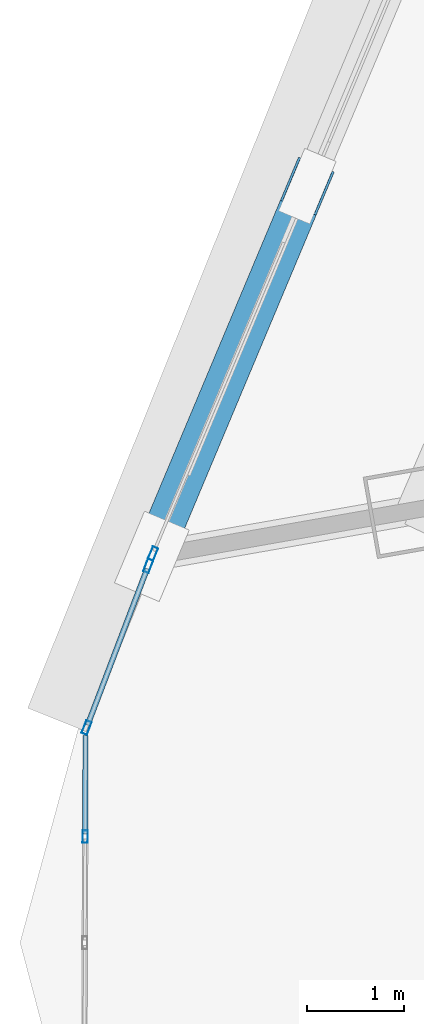
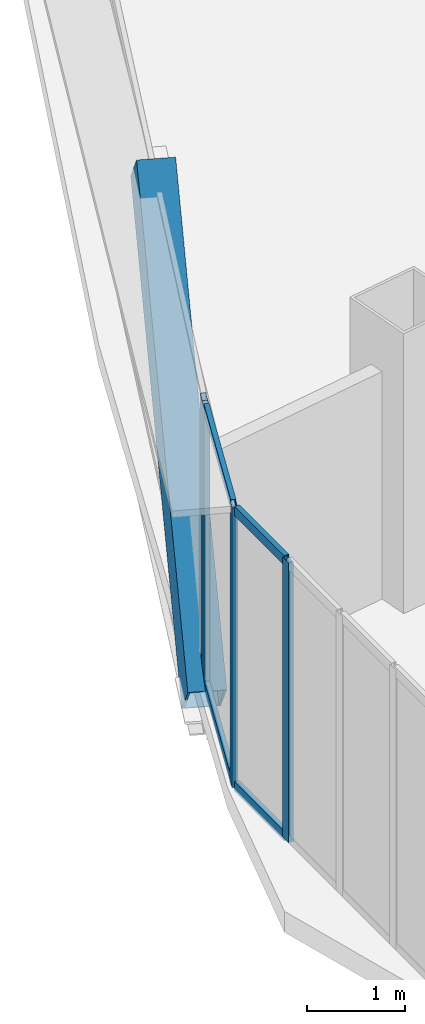
# One storey, part 4 of 37: 9 members, 3 elements without a shape of their own.
"""IFC4 building model written with IfcOpenShell, lengths in metres."""

from ifc_helpers import new_model, si_unit, direction, frame, origin, origin_2d, place, context, subcontext, project, spatial, hollow_rectangle, extrude, source, transform, mapped, material, layer, layer_set, material_profile, profile_set, type_object, element, aggregate, save


model = new_model("IFC4")

# Units and contexts
model_context = context("Model", 3, precision=1e-05, world=origin(), true_north=direction((0.0, 1.0)))
body_context = subcontext(model_context, "Body", "Model", "MODEL_VIEW")
ifc_project = project(units=[si_unit("LENGTHUNIT", "METRE"), si_unit("AREAUNIT", "SQUARE_METRE"), si_unit("VOLUMEUNIT", "CUBIC_METRE"), si_unit("PLANEANGLEUNIT", "RADIAN"), si_unit("MASSUNIT", "GRAM", prefix="KILO"), si_unit("THERMODYNAMICTEMPERATUREUNIT", "KELVIN"), si_unit("POWERUNIT", "WATT")], contexts=[model_context])

# Site, building, storey
site_placement = place(None, origin())
site = spatial("IfcSite", under=ifc_project, at=site_placement, CompositionType="ELEMENT")
building_placement = place(site_placement, origin())
building = spatial("IfcBuilding", under=site, at=building_placement, Name="Yunzhuo Pagoda Commons", CompositionType="ELEMENT")
storey_placement = place(building_placement, frame((0.0, 0.0, 240.800048828125)))
storey = spatial("IfcBuildingStorey", under=building, at=storey_placement, Name="L60", CompositionType="ELEMENT", Elevation=240.800048828125)

# Member
ifc_material_1 = material(Name="Structural steel Q355B", Category="steel")
ifc_material_profile_1 = material_profile(ifc_material_1, hollow_rectangle(XDim=0.39990234375, YDim=0.719970703125, WallThickness=0.02392578125, at=origin_2d()), Name="Structural steel Q355B")
ifc_profile_set_1 = profile_set([ifc_material_profile_1], Name="Structural steel Q355B")
member_type_1 = type_object("IfcMemberType", Name="M-DL2 Brace BOX 720x400x24", PredefinedType="BRACE", material=ifc_profile_set_1)
shared_shape_1 = source(origin(), body_context, "Body", "SweptSolid", [
    extrude(hollow_rectangle(XDim=0.39990234375, YDim=0.719970703125, WallThickness=0.02392578125, at=origin_2d()), origin(), (0.0, 0.0, 1.0), 5.571533203125),
])
member_1_placement = place(storey_placement, frame((13.3955078125, 27.598388671875, -0.260009765625), z_axis=(0.287580564873, 0.684882558124, 0.669502278028), x_axis=(-0.922015799303, 0.387152251492, 0.0)))
element("IfcMember", 1, at=member_1_placement, inside=storey, type_object=member_type_1, Name="L60 facade diamond brace F3.3R", PredefinedType="BRACE", context=body_context, shape_type="MappedRepresentation", body=[
    mapped(shared_shape_1, transform((0.0, 0.0, 0.0), scale=1.0)),
])

# Curtain wall, member
ifc_material_2 = material(Name="Anodized aluminium 6063-T6", Category="aluminium")
ifc_layer_1 = layer(ifc_material_2, 0.139892578125)
ifc_layer_set_1 = layer_set([ifc_layer_1], Name="Anodized aluminium 6063-T6")
curtain_wall_type_1 = type_object("IfcCurtainWallType", Name="CW-HI High-Zone Ribbon Curtain Wall", PredefinedType="NOTDEFINED", material=ifc_layer_set_1)
curtain_wall_1_placement = place(storey_placement, origin())
curtain_wall_1 = element("IfcCurtainWall", 2, at=curtain_wall_1_placement, inside=storey, type_object=curtain_wall_type_1, Name="L60 curtain wall CW-L60-F3B4", PredefinedType="NOTDEFINED")
ifc_material_profile_2 = material_profile(ifc_material_2, hollow_rectangle(XDim=0.06005859375, YDim=0.139892578125, WallThickness=0.00341796875, at=origin_2d()), Name="Anodized aluminium 6063-T6")
ifc_profile_set_2 = profile_set([ifc_material_profile_2], Name="Anodized aluminium 6063-T6")
member_type_2 = type_object("IfcMemberType", Name="CW-HI-M Mullion RHS 140x60x3.5", PredefinedType="MULLION", material=ifc_profile_set_2)
shared_shape_2 = source(origin(), body_context, "Body", "SweptSolid", [
    extrude(hollow_rectangle(XDim=0.06005859375, YDim=0.139892578125, WallThickness=0.00341796875, at=origin_2d()), origin(), (0.0, 0.0, 1.0), 3.47021484375),
])
member_2_placement = place(storey_placement, frame((13.4072265625, 27.6259765625, 0.0), z_axis=(0.0, 0.0, 1.0), x_axis=(0.922008372235, -0.387169938824, 0.0)))
member_2 = element("IfcMember", 3, at=member_2_placement, type_object=member_type_2, Name="CW mullion 2", PredefinedType="MULLION", context=body_context, shape_type="MappedRepresentation", body=[
    mapped(shared_shape_2, transform((0.0, 0.0, 0.0), scale=1.0)),
])
aggregate(curtain_wall_1, [member_2])

# Curtain wall, members
curtain_wall_2_placement = place(storey_placement, origin())
curtain_wall_2 = element("IfcCurtainWall", 4, at=curtain_wall_2_placement, inside=storey, type_object=curtain_wall_type_1, Name="L60 curtain wall CW-L60-F3B5", PredefinedType="NOTDEFINED")
member_3_placement = place(storey_placement, frame((13.358154296875, 27.500244140625, 0.0), z_axis=(0.0, 0.0, 1.0), x_axis=(0.934441330585, -0.356117115139, 0.0)))
member_3 = element("IfcMember", 5, at=member_3_placement, type_object=member_type_2, Name="CW mullion 1", PredefinedType="MULLION", context=body_context, shape_type="MappedRepresentation", body=[
    mapped(shared_shape_2, transform((0.0, 0.0, 0.0), scale=1.0)),
])
member_4_placement = place(storey_placement, frame((12.722900390625, 25.833251953125, 0.0), z_axis=(0.0, 0.0, 1.0), x_axis=(0.934441330585, -0.356117115139, 0.0)))
member_4 = element("IfcMember", 6, at=member_4_placement, type_object=member_type_2, Name="CW mullion 2", PredefinedType="MULLION", context=body_context, shape_type="MappedRepresentation", body=[
    mapped(shared_shape_2, transform((0.0, 0.0, 0.0), scale=1.0)),
])
ifc_material_profile_3 = material_profile(ifc_material_2, hollow_rectangle(XDim=0.054931640625, YDim=0.1201171875, WallThickness=0.00341796875, at=origin_2d()), Name="Anodized aluminium 6063-T6")
ifc_profile_set_3 = profile_set([ifc_material_profile_3], Name="Anodized aluminium 6063-T6")
member_type_3 = type_object("IfcMemberType", Name="CW-HI-T Transom RHS 120x55x3.5", PredefinedType="USERDEFINED", material=ifc_profile_set_3)
shared_shape_3 = source(origin(), body_context, "Body", "SweptSolid", [
    extrude(hollow_rectangle(XDim=0.054931640625, YDim=0.1201171875, WallThickness=0.00341796875, at=origin_2d()), origin(), (0.0, 0.0, 1.0), 1.723876953125),
])
member_5_placement = place(storey_placement, frame((13.347412109375, 27.47216796875, 0.02734375), z_axis=(-0.356054221933, -0.934465296864, 0.0), x_axis=(0.934465296864, -0.356054221933, 0.0)))
member_5 = element("IfcMember", 7, at=member_5_placement, type_object=member_type_3, Name="CW transom 1.1", ObjectType="TRANSOM", PredefinedType="USERDEFINED", context=body_context, shape_type="MappedRepresentation", body=[
    mapped(shared_shape_3, transform((0.0, 0.0, 0.0), scale=1.0)),
])
member_6_placement = place(storey_placement, frame((13.347412109375, 27.47216796875, 3.4423828125), z_axis=(-0.356054221933, -0.934465296864, 0.0), x_axis=(0.934465296864, -0.356054221933, 0.0)))
member_6 = element("IfcMember", 8, at=member_6_placement, type_object=member_type_3, Name="CW transom 1.2", ObjectType="TRANSOM", PredefinedType="USERDEFINED", context=body_context, shape_type="MappedRepresentation", body=[
    mapped(shared_shape_3, transform((0.0, 0.0, 0.0), scale=1.0)),
])
aggregate(curtain_wall_2, [member_3, member_4, member_5, member_6])

ifc_layer_2 = layer(ifc_material_2, 0.1298828125)
ifc_layer_set_2 = layer_set([ifc_layer_2], Name="Anodized aluminium 6063-T6")
curtain_wall_type_2 = type_object("IfcCurtainWallType", Name="CW-VTX Rounded Corner Curtain Wall", PredefinedType="NOTDEFINED", material=ifc_layer_set_2)
curtain_wall_3_placement = place(storey_placement, origin())
curtain_wall_3 = element("IfcCurtainWall", 9, at=curtain_wall_3_placement, inside=storey, type_object=curtain_wall_type_2, Name="L60 curtain wall CW-L60-VTX1S1", PredefinedType="NOTDEFINED")
ifc_material_profile_4 = material_profile(ifc_material_2, hollow_rectangle(XDim=0.054931640625, YDim=0.1298828125, WallThickness=0.00341796875, at=origin_2d()), Name="Anodized aluminium 6063-T6")
ifc_profile_set_4 = profile_set([ifc_material_profile_4], Name="Anodized aluminium 6063-T6")
member_type_4 = type_object("IfcMemberType", Name="CW-VTX-M Mullion RHS 130x55x3.5", PredefinedType="MULLION", material=ifc_profile_set_4)
shared_shape_4 = source(origin(), body_context, "Body", "SweptSolid", [
    extrude(hollow_rectangle(XDim=0.054931640625, YDim=0.1298828125, WallThickness=0.00341796875, at=origin_2d()), origin(), (0.0, 0.0, 1.0), 3.47021484375),
])
member_7_placement = place(storey_placement, frame((12.708251953125, 24.710693359375, 0.0), z_axis=(0.0, 0.0, 1.0), x_axis=(0.999993571429, -0.003585679809, 0.0)))
member_7 = element("IfcMember", 10, at=member_7_placement, type_object=member_type_4, Name="CW mullion 2", PredefinedType="MULLION", context=body_context, shape_type="MappedRepresentation", body=[
    mapped(shared_shape_4, transform((0.0, 0.0, 0.0), scale=1.0)),
])
ifc_material_profile_5 = material_profile(ifc_material_2, hollow_rectangle(XDim=0.054931640625, YDim=0.1201171875, WallThickness=0.00341796875, at=origin_2d()), Name="Anodized aluminium 6063-T6")
ifc_profile_set_5 = profile_set([ifc_material_profile_5], Name="Anodized aluminium 6063-T6")
member_type_5 = type_object("IfcMemberType", Name="CW-VTX-T Transom RHS 120x55x3.5", PredefinedType="USERDEFINED", material=ifc_profile_set_5)
shared_shape_5 = source(origin(), body_context, "Body", "SweptSolid", [
    extrude(hollow_rectangle(XDim=0.054931640625, YDim=0.1201171875, WallThickness=0.00341796875, at=origin_2d()), origin(), (0.0, 0.0, 1.0), 1.011962890625),
])
member_8_placement = place(storey_placement, frame((12.7119140625, 25.750244140625, 0.02734375), z_axis=(-0.003618794157, -0.999993452143, 0.0), x_axis=(0.999993452143, -0.003618794157, 0.0)))
member_8 = element("IfcMember", 11, at=member_8_placement, type_object=member_type_5, Name="CW transom 1.1", ObjectType="TRANSOM", PredefinedType="USERDEFINED", context=body_context, shape_type="MappedRepresentation", body=[
    mapped(shared_shape_5, transform((0.0, 0.0, 0.0), scale=1.0)),
])
member_9_placement = place(storey_placement, frame((12.7119140625, 25.750244140625, 3.4423828125), z_axis=(-0.003618794157, -0.999993452143, 0.0), x_axis=(0.999993452143, -0.003618794157, 0.0)))
member_9 = element("IfcMember", 12, at=member_9_placement, type_object=member_type_5, Name="CW transom 1.2", ObjectType="TRANSOM", PredefinedType="USERDEFINED", context=body_context, shape_type="MappedRepresentation", body=[
    mapped(shared_shape_5, transform((0.0, 0.0, 0.0), scale=1.0)),
])
aggregate(curtain_wall_3, [member_7, member_8, member_9])

save(model, "model.ifc")
